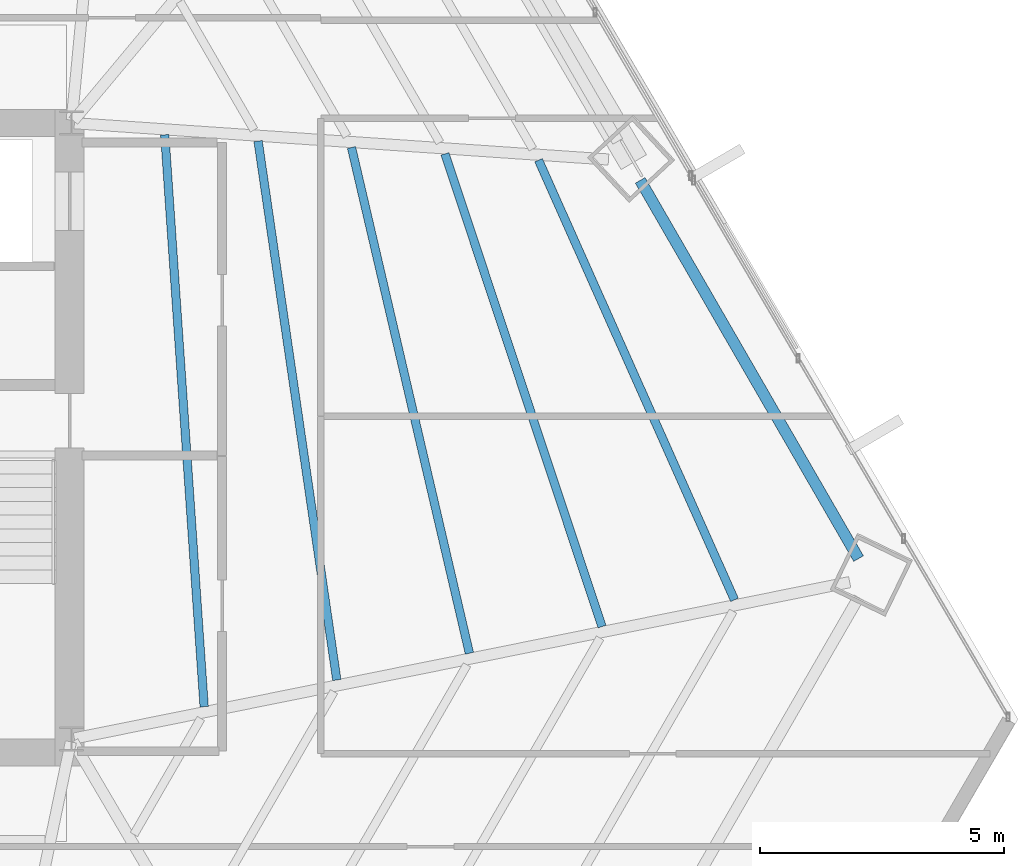
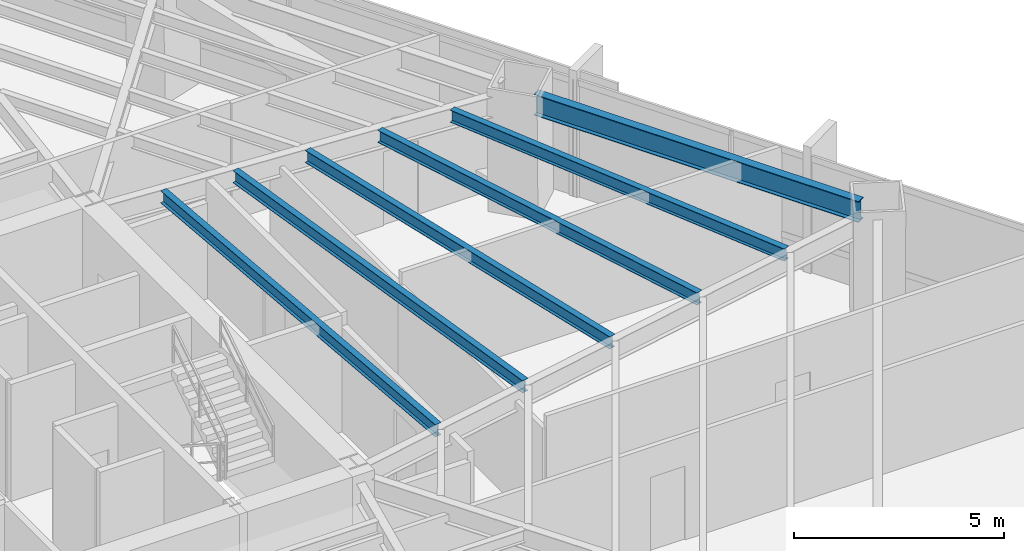
# One storey, part 17 of 33: 6 beams.
"""IFC4 building model written with IfcOpenShell, lengths in metres."""

import ifcopenshell
import ifcopenshell.guid

model = None  # the IFC model being written
_history = None  # IfcOwnerHistory: only IFC2X3 demands one
_inside = {}  # id of a spatial element -> (the spatial element, [elements in it])
_under = {}  # id of a project, library or spatial element -> (it, [spatial elements below it])
_declared = {}  # id of a project -> (the project, [libraries it declares])
_typed = {}  # id of a type object -> (the type object, [elements of that type])
_made_of = {}  # id of a material, layer set ... -> (it, [elements and type objects made of it])


def new_model(schema):
    """Start an empty IFC model of exactly this schema.

    Asked for "IFC4X3", IfcOpenShell would pick the latest addendum, in which some entities
    have other attributes; the version numbers below select the first issue.
    IFC2X3 requires an IfcOwnerHistory on every rooted entity: one is made here for all.
    """
    global model, _history
    if schema == "IFC4X3":
        model = ifcopenshell.file(schema_version=(4, 3, 0, 0))
    else:
        model = ifcopenshell.file(schema=schema)
    _inside.clear()
    _under.clear()
    _declared.clear()
    _typed.clear()
    _made_of.clear()
    _history = None
    if model.schema == "IFC2X3":
        org = make("IfcOrganization", Name="unknown")
        user = make(
            "IfcPersonAndOrganization",
            ThePerson=make("IfcPerson", FamilyName="unknown"),
            TheOrganization=org,
        )
        app = make(
            "IfcApplication",
            ApplicationDeveloper=org,
            Version="unknown",
            ApplicationFullName="unknown",
            ApplicationIdentifier="unknown",
        )
        _history = make(
            "IfcOwnerHistory",
            OwningUser=user,
            OwningApplication=app,
            ChangeAction="ADDED",
            CreationDate=0,
        )
    return model


def make(cls, **values):
    """One entity of the class cls with the attributes given. An attribute that is None is left unset."""
    return model.create_entity(
        cls, **{name: value for name, value in values.items() if value is not None}
    )


def rooted(cls, **values):
    """An entity with a GlobalId (a new one), such as an element, a storey or a relation."""
    return make(cls, GlobalId=ifcopenshell.guid.new(), OwnerHistory=_history, **values)


def si_unit(unit_type, name, prefix=None):
    """IfcSIUnit, for example si_unit("LENGTHUNIT", "METRE", prefix="MILLI")."""
    return make("IfcSIUnit", UnitType=unit_type, Prefix=prefix, Name=name)


def assignment(units):
    """IfcUnitAssignment: the units of a project."""
    return None if units is None else make("IfcUnitAssignment", Units=units)


def point(xyz):
    """IfcCartesianPoint."""
    return None if xyz is None else make("IfcCartesianPoint", Coordinates=xyz)


def direction(xyz):
    """IfcDirection."""
    return None if xyz is None else make("IfcDirection", DirectionRatios=xyz)


def frame(location, z_axis=None, x_axis=None):
    """IfcAxis2Placement3D, a coordinate frame: its origin and axes. An axis left out is left unset."""
    return make(
        "IfcAxis2Placement3D",
        Location=point(location),
        Axis=direction(z_axis),
        RefDirection=direction(x_axis),
    )


def frame_2d(location, x_axis=None):
    """IfcAxis2Placement2D, a coordinate frame in the plane: its origin and x axis."""
    return make(
        "IfcAxis2Placement2D", Location=point(location), RefDirection=direction(x_axis)
    )


def origin():
    """The frame at (0, 0, 0) with its axes left unset."""
    return frame((0.0, 0.0, 0.0))


def origin_2d():
    """The frame at (0, 0) in the plane with its x axis left unset."""
    return frame_2d((0.0, 0.0))


def place(relative_to, where):
    """IfcLocalPlacement: puts the frame where relative to a parent placement (None: the world)."""
    return make(
        "IfcLocalPlacement", PlacementRelTo=relative_to, RelativePlacement=where
    )


def context(
    kind, dimensions, precision=None, world=None, true_north=None, identifier=None
):
    """IfcGeometricRepresentationContext, for example the 3D "Model" context."""
    return make(
        "IfcGeometricRepresentationContext",
        ContextIdentifier=identifier,
        ContextType=kind,
        CoordinateSpaceDimension=dimensions,
        Precision=precision,
        WorldCoordinateSystem=world,
        TrueNorth=true_north,
    )


def subcontext(parent, identifier, kind, view, scale=None):
    """IfcGeometricRepresentationSubContext, for example "Body" below "Model"."""
    return make(
        "IfcGeometricRepresentationSubContext",
        ContextIdentifier=identifier,
        ContextType=kind,
        ParentContext=parent,
        TargetScale=scale,
        TargetView=view,
    )


def project(units=None, contexts=None):
    """IfcProject with its units and contexts."""
    return rooted(
        "IfcProject",
        Name="project",
        RepresentationContexts=contexts,
        UnitsInContext=assignment(units),
    )


def spatial(cls, under=None, at=None, **own):
    """A site, building, storey or space (cls), placed at a placement, below another one or the project."""
    s = rooted(cls, ObjectPlacement=at, **own)
    if under is not None:
        _under.setdefault(under.id(), (under, []))[1].append(s)
    return s


def profile(cls, at=None, kind="AREA", **sizes):
    """A parametric profile (cls). Its sizes go by their IFC names, for example OverallWidth=200.0."""
    return make(cls, ProfileType=kind, Position=at, **sizes)


def i_section(**sizes):
    """IfcIShapeProfileDef."""
    return profile("IfcIShapeProfileDef", **sizes)


def extrude(swept, where, along, depth):
    """IfcExtrudedAreaSolid: the profile swept, set in the frame where, extruded along a direction by depth."""
    return make(
        "IfcExtrudedAreaSolid",
        SweptArea=swept,
        Position=where,
        ExtrudedDirection=direction(along),
        Depth=depth,
    )


def shape(context_of_items, identifier, shape_type, items):
    """IfcShapeRepresentation: the items that make up one representation, for example the "Body"."""
    return make(
        "IfcShapeRepresentation",
        ContextOfItems=context_of_items,
        RepresentationIdentifier=identifier,
        RepresentationType=shape_type,
        Items=items,
    )


def source(mapping_origin, context_of_items, identifier, shape_type, items):
    """IfcRepresentationMap: a shape defined once, which mapped items show again and again."""
    return make(
        "IfcRepresentationMap",
        MappingOrigin=mapping_origin,
        MappedRepresentation=shape(context_of_items, identifier, shape_type, items),
    )


def transform(
    local_origin,
    x_axis=None,
    y_axis=None,
    z_axis=None,
    scale=None,
    scale2=None,
    scale3=None,
    uniform=True,
):
    """IfcCartesianTransformationOperator3D, or its non-uniform kind. x_axis, y_axis, z_axis: its Axis1, 2, 3."""
    if uniform:
        return make(
            "IfcCartesianTransformationOperator3D",
            Axis1=direction(x_axis),
            Axis2=direction(y_axis),
            LocalOrigin=point(local_origin),
            Scale=scale,
            Axis3=direction(z_axis),
        )
    return make(
        "IfcCartesianTransformationOperator3DnonUniform",
        Axis1=direction(x_axis),
        Axis2=direction(y_axis),
        LocalOrigin=point(local_origin),
        Scale=scale,
        Axis3=direction(z_axis),
        Scale2=scale2,
        Scale3=scale3,
    )


def mapped(mapping_source, mapping_target):
    """IfcMappedItem: shows the shape of a source again, moved by a transform."""
    return make(
        "IfcMappedItem", MappingSource=mapping_source, MappingTarget=mapping_target
    )


def material(Name=None, Category=None):
    """IfcMaterial."""
    return make("IfcMaterial", Name=Name, Category=Category)


def material_profile(
    of_material, cross_section, Name=None, Category=None, Priority=None
):
    """IfcMaterialProfile: a cross section and its material."""
    return make(
        "IfcMaterialProfile",
        Name=Name,
        Material=of_material,
        Profile=cross_section,
        Priority=Priority,
        Category=Category,
    )


def profile_set(profiles, Name=None, composite=None):
    """IfcMaterialProfileSet."""
    return make(
        "IfcMaterialProfileSet",
        Name=Name,
        MaterialProfiles=profiles,
        CompositeProfile=composite,
    )


def made_of(thing, what):
    """Note that an element or type object is made of a material, layer set ...; save() writes the relation."""
    if what is not None:
        _made_of.setdefault(what.id(), (what, []))[1].append(thing)
    return thing


def type_object(cls, material=None, **own):
    """A type object (cls), such as IfcWallType, which elements share."""
    return made_of(rooted(cls, **own), material)


def type_shapes(of_type, sources):
    """Give a type object the sources (RepresentationMaps) that its elements show as mapped items."""
    of_type.RepresentationMaps = sources


def element(
    cls,
    number,
    at=None,
    inside=None,
    cuts=None,
    type_object=None,
    material=None,
    context=None,
    identifier="Body",
    shape_type=None,
    held_by="IfcProductDefinitionShape",
    body=None,
    shapes=None,
    **own,
):
    """One element of the class cls, such as IfcWall. Its Tag is "e" and its number.

    at: its placement. inside: the storey or other place that contains it. cuts: it is an
    opening in that element (IfcRelVoidsElement). A single representation is given by context,
    identifier, shape_type and body (its items); several are given by shapes. held_by: the class
    of the entity that holds the representations. save() writes the other relations.
    """
    e = rooted(cls, Tag="e%d" % number, ObjectPlacement=at, **own)
    if body is not None:
        shapes = [shape(context, identifier, shape_type, body)]
    if shapes is not None:
        e.Representation = make(held_by, Representations=shapes)
    if inside is not None:
        _inside.setdefault(inside.id(), (inside, []))[1].append(e)
    if cuts is not None:
        rooted(
            "IfcRelVoidsElement", RelatingBuildingElement=cuts, RelatedOpeningElement=e
        )
    if type_object is not None:
        _typed.setdefault(type_object.id(), (type_object, []))[1].append(e)
    return made_of(e, material)


def aggregate(whole, parts):
    """IfcRelAggregates: a whole, such as a stair, and the parts it consists of."""
    return rooted("IfcRelAggregates", RelatingObject=whole, RelatedObjects=parts)


def save(model, path):
    """Write the relations noted so far, then the file.

    IfcRelAggregates (storeys below a building ...), IfcRelContainedInSpatialStructure (elements
    in a storey), IfcRelDefinesByType, IfcRelAssociatesMaterial and IfcRelDeclares: one each for
    every whole, place, type object, material and project.
    """
    for whole, parts in _under.values():
        aggregate(whole, parts)
    for where, things in _inside.values():
        rooted(
            "IfcRelContainedInSpatialStructure",
            RelatedElements=things,
            RelatingStructure=where,
        )
    for kind, things in _typed.values():
        rooted("IfcRelDefinesByType", RelatedObjects=things, RelatingType=kind)
    for what, things in _made_of.values():
        rooted("IfcRelAssociatesMaterial", RelatedObjects=things, RelatingMaterial=what)
    for by, libraries in _declared.values():
        rooted("IfcRelDeclares", RelatingContext=by, RelatedDefinitions=libraries)
    model.write(path)


model = new_model("IFC4")

# Units and contexts
model_context = context("Model", 3, precision=1e-05, world=origin(), true_north=direction((0.0, 1.0)))
body_context = subcontext(model_context, "Body", "Model", "MODEL_VIEW")
ifc_project = project(units=[si_unit("LENGTHUNIT", "METRE"), si_unit("AREAUNIT", "SQUARE_METRE"), si_unit("VOLUMEUNIT", "CUBIC_METRE"), si_unit("PLANEANGLEUNIT", "RADIAN"), si_unit("MASSUNIT", "GRAM", prefix="KILO")], contexts=[model_context])

# Site, building, storey
site_placement = place(None, origin())
site = spatial("IfcSite", under=ifc_project, at=site_placement, CompositionType="ELEMENT")
building_placement = place(site_placement, origin())
building = spatial("IfcBuilding", under=site, at=building_placement, Name="Caelisora Broadcast Tower", CompositionType="ELEMENT")
storey_placement = place(building_placement, frame((0.0, 0.0, 34.89990234375)))
storey = spatial("IfcBuildingStorey", under=building, at=storey_placement, Name="L08", CompositionType="ELEMENT", Elevation=34.89990234375)

# Beams
ifc_material = material(Name="Steel Grade 350 (AS/NZS 3679.1)", Category="steel")
ifc_material_profile_1 = material_profile(ifc_material, i_section(OverallWidth=0.22900390625, OverallDepth=0.611572265625, WebThickness=0.011962890625, FlangeThickness=0.01953125, at=origin_2d()), Name="Steel Grade 350 (AS/NZS 3679.1)")
ifc_profile_set_1 = profile_set([ifc_material_profile_1], Name="Steel Grade 350 (AS/NZS 3679.1)")
beam_type_1 = type_object("IfcBeamType", Name="PG03", PredefinedType="BEAM", material=ifc_profile_set_1)
shared_shape_1 = source(origin(), body_context, "Body", "SweptSolid", [
    extrude(i_section(OverallWidth=0.22900390625, OverallDepth=0.611572265625, WebThickness=0.011962890625, FlangeThickness=0.01953125, at=origin_2d()), origin(), (0.0, 0.0, 1.0), 8.933349609375),
])
type_shapes(beam_type_1, [shared_shape_1])
beam_1_placement = place(storey_placement, frame((61.599853515625, 21.090087890625, 3.09423828125), z_axis=(-0.499986622046, 0.866033127412, 0.0), x_axis=(-0.866033127412, -0.499986622046, 0.0)))
element("IfcBeam", 1, at=beam_1_placement, inside=storey, type_object=beam_type_1, Name="L08 beam PG03", PredefinedType="BEAM", context=body_context, shape_type="MappedRepresentation", body=[
    mapped(shared_shape_1, transform((0.0, 0.0, 0.0), scale=1.0)),
])
ifc_material_profile_2 = material_profile(ifc_material, i_section(OverallWidth=0.172119140625, OverallDepth=0.358642578125, WebThickness=0.008056640625, FlangeThickness=0.012939453125, at=origin_2d()), Name="Steel Grade 350 (AS/NZS 3679.1)")
ifc_profile_set_2 = profile_set([ifc_material_profile_2], Name="Steel Grade 350 (AS/NZS 3679.1)")
beam_type_2 = type_object("IfcBeamType", Name="SB02", PredefinedType="JOIST", material=ifc_profile_set_2)
shared_shape_2 = source(origin(), body_context, "Body", "SweptSolid", [
    extrude(i_section(OverallWidth=0.172119140625, OverallDepth=0.358642578125, WebThickness=0.008056640625, FlangeThickness=0.012939453125, at=origin_2d()), origin(), (0.0, 0.0, 1.0), 11.726318359375),
])
beam_2_placement = place(storey_placement, frame((48.2138671875, 18.060302734375, 3.220703125), z_axis=(-0.068704916396, 0.997637025407, 0.0), x_axis=(-0.997637025407, -0.068704916396, 0.0)))
element("IfcBeam", 2, at=beam_2_placement, inside=storey, type_object=beam_type_2, Name="L08 beam SB02", PredefinedType="JOIST", context=body_context, shape_type="MappedRepresentation", body=[
    mapped(shared_shape_2, transform((0.0, 0.0, 0.0), scale=1.0)),
])
shared_shape_3 = source(origin(), body_context, "Body", "SweptSolid", [
    extrude(i_section(OverallWidth=0.172119140625, OverallDepth=0.358642578125, WebThickness=0.008056640625, FlangeThickness=0.012939453125, at=origin_2d()), origin(), (0.0, 0.0, 1.0), 11.138916015625),
])
beam_3_placement = place(storey_placement, frame((50.92724609375, 18.607421875, 3.220703125), z_axis=(-0.144525974388, 0.989501006936, 0.0), x_axis=(-0.989501006936, -0.144525974388, 0.0)))
element("IfcBeam", 3, at=beam_3_placement, inside=storey, type_object=beam_type_2, Name="L08 beam SB02", PredefinedType="JOIST", context=body_context, shape_type="MappedRepresentation", body=[
    mapped(shared_shape_3, transform((0.0, 0.0, 0.0), scale=1.0)),
])
shared_shape_4 = source(origin(), body_context, "Body", "SweptSolid", [
    extrude(i_section(OverallWidth=0.172119140625, OverallDepth=0.358642578125, WebThickness=0.008056640625, FlangeThickness=0.012939453125, at=origin_2d()), origin(), (0.0, 0.0, 1.0), 10.62255859375),
])
beam_4_placement = place(storey_placement, frame((53.6396484375, 19.154052734375, 3.220703125), z_axis=(-0.227027630178, 0.973888317589, 0.0), x_axis=(-0.973888317589, -0.227027630178, 0.0)))
element("IfcBeam", 4, at=beam_4_placement, inside=storey, type_object=beam_type_2, Name="L08 beam SB02", PredefinedType="JOIST", context=body_context, shape_type="MappedRepresentation", body=[
    mapped(shared_shape_4, transform((0.0, 0.0, 0.0), scale=1.0)),
])
shared_shape_5 = source(origin(), body_context, "Body", "SweptSolid", [
    extrude(i_section(OverallWidth=0.172119140625, OverallDepth=0.358642578125, WebThickness=0.008056640625, FlangeThickness=0.012939453125, at=origin_2d()), origin(), (0.0, 0.0, 1.0), 10.18798828125),
])
beam_5_placement = place(storey_placement, frame((56.351318359375, 19.70068359375, 3.220703125), z_axis=(-0.315213935705, 0.949020639785, 0.0), x_axis=(-0.949020639785, -0.315213935705, 0.0)))
element("IfcBeam", 5, at=beam_5_placement, inside=storey, type_object=beam_type_2, Name="L08 beam SB02", PredefinedType="JOIST", context=body_context, shape_type="MappedRepresentation", body=[
    mapped(shared_shape_5, transform((0.0, 0.0, 0.0), scale=1.0)),
])
shared_shape_6 = source(origin(), body_context, "Body", "SweptSolid", [
    extrude(i_section(OverallWidth=0.172119140625, OverallDepth=0.358642578125, WebThickness=0.008056640625, FlangeThickness=0.012939453125, at=origin_2d()), origin(), (0.0, 0.0, 1.0), 9.8447265625),
])
type_shapes(beam_type_2, [shared_shape_2, shared_shape_3, shared_shape_4, shared_shape_5, shared_shape_6])
beam_6_placement = place(storey_placement, frame((59.061767578125, 20.2470703125, 3.220703125), z_axis=(-0.407104643068, 0.913381524661, 0.0), x_axis=(-0.913381524661, -0.407104643068, 0.0)))
element("IfcBeam", 6, at=beam_6_placement, inside=storey, type_object=beam_type_2, Name="L08 beam SB02", PredefinedType="JOIST", context=body_context, shape_type="MappedRepresentation", body=[
    mapped(shared_shape_6, transform((0.0, 0.0, 0.0), scale=1.0)),
])

save(model, "model.ifc")
